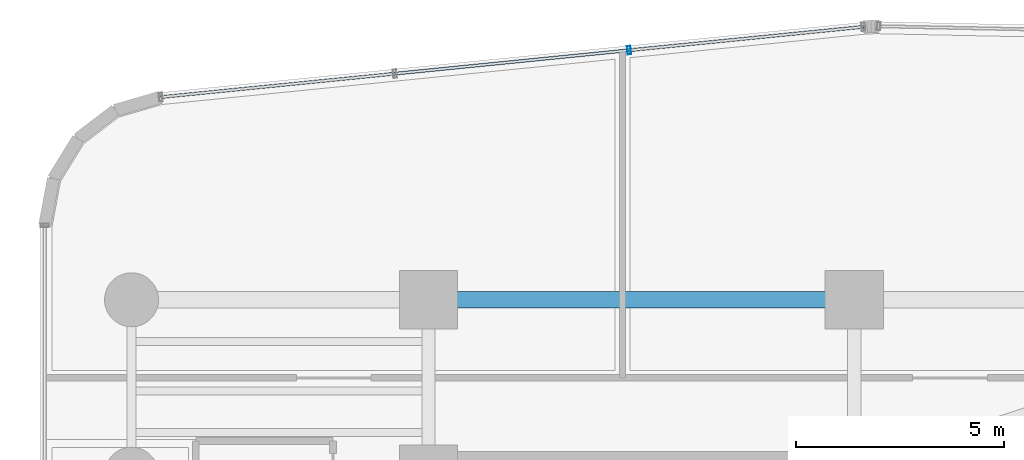
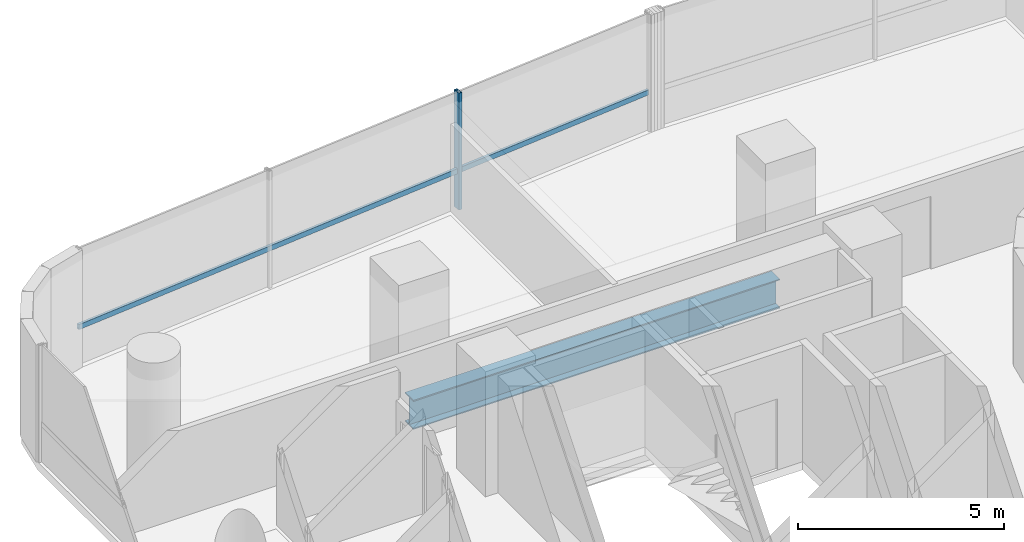
# One storey, part 19 of 40: 2 members, 1 beam, 1 element without a shape of its own.
"""IFC4 building model written with IfcOpenShell, lengths in metres."""

import ifcopenshell
import ifcopenshell.guid

model = None  # the IFC model being written
_history = None  # IfcOwnerHistory: only IFC2X3 demands one
_inside = {}  # id of a spatial element -> (the spatial element, [elements in it])
_under = {}  # id of a project, library or spatial element -> (it, [spatial elements below it])
_declared = {}  # id of a project -> (the project, [libraries it declares])
_typed = {}  # id of a type object -> (the type object, [elements of that type])
_made_of = {}  # id of a material, layer set ... -> (it, [elements and type objects made of it])


def new_model(schema):
    """Start an empty IFC model of exactly this schema.

    Asked for "IFC4X3", IfcOpenShell would pick the latest addendum, in which some entities
    have other attributes; the version numbers below select the first issue.
    IFC2X3 requires an IfcOwnerHistory on every rooted entity: one is made here for all.
    """
    global model, _history
    if schema == "IFC4X3":
        model = ifcopenshell.file(schema_version=(4, 3, 0, 0))
    else:
        model = ifcopenshell.file(schema=schema)
    _inside.clear()
    _under.clear()
    _declared.clear()
    _typed.clear()
    _made_of.clear()
    _history = None
    if model.schema == "IFC2X3":
        org = make("IfcOrganization", Name="unknown")
        user = make(
            "IfcPersonAndOrganization",
            ThePerson=make("IfcPerson", FamilyName="unknown"),
            TheOrganization=org,
        )
        app = make(
            "IfcApplication",
            ApplicationDeveloper=org,
            Version="unknown",
            ApplicationFullName="unknown",
            ApplicationIdentifier="unknown",
        )
        _history = make(
            "IfcOwnerHistory",
            OwningUser=user,
            OwningApplication=app,
            ChangeAction="ADDED",
            CreationDate=0,
        )
    return model


def make(cls, **values):
    """One entity of the class cls with the attributes given. An attribute that is None is left unset."""
    return model.create_entity(
        cls, **{name: value for name, value in values.items() if value is not None}
    )


def rooted(cls, **values):
    """An entity with a GlobalId (a new one), such as an element, a storey or a relation."""
    return make(cls, GlobalId=ifcopenshell.guid.new(), OwnerHistory=_history, **values)


def si_unit(unit_type, name, prefix=None):
    """IfcSIUnit, for example si_unit("LENGTHUNIT", "METRE", prefix="MILLI")."""
    return make("IfcSIUnit", UnitType=unit_type, Prefix=prefix, Name=name)


def assignment(units):
    """IfcUnitAssignment: the units of a project."""
    return None if units is None else make("IfcUnitAssignment", Units=units)


def point(xyz):
    """IfcCartesianPoint."""
    return None if xyz is None else make("IfcCartesianPoint", Coordinates=xyz)


def direction(xyz):
    """IfcDirection."""
    return None if xyz is None else make("IfcDirection", DirectionRatios=xyz)


def frame(location, z_axis=None, x_axis=None):
    """IfcAxis2Placement3D, a coordinate frame: its origin and axes. An axis left out is left unset."""
    return make(
        "IfcAxis2Placement3D",
        Location=point(location),
        Axis=direction(z_axis),
        RefDirection=direction(x_axis),
    )


def frame_2d(location, x_axis=None):
    """IfcAxis2Placement2D, a coordinate frame in the plane: its origin and x axis."""
    return make(
        "IfcAxis2Placement2D", Location=point(location), RefDirection=direction(x_axis)
    )


def origin():
    """The frame at (0, 0, 0) with its axes left unset."""
    return frame((0.0, 0.0, 0.0))


def origin_2d():
    """The frame at (0, 0) in the plane with its x axis left unset."""
    return frame_2d((0.0, 0.0))


def place(relative_to, where):
    """IfcLocalPlacement: puts the frame where relative to a parent placement (None: the world)."""
    return make(
        "IfcLocalPlacement", PlacementRelTo=relative_to, RelativePlacement=where
    )


def context(
    kind, dimensions, precision=None, world=None, true_north=None, identifier=None
):
    """IfcGeometricRepresentationContext, for example the 3D "Model" context."""
    return make(
        "IfcGeometricRepresentationContext",
        ContextIdentifier=identifier,
        ContextType=kind,
        CoordinateSpaceDimension=dimensions,
        Precision=precision,
        WorldCoordinateSystem=world,
        TrueNorth=true_north,
    )


def subcontext(parent, identifier, kind, view, scale=None):
    """IfcGeometricRepresentationSubContext, for example "Body" below "Model"."""
    return make(
        "IfcGeometricRepresentationSubContext",
        ContextIdentifier=identifier,
        ContextType=kind,
        ParentContext=parent,
        TargetScale=scale,
        TargetView=view,
    )


def project(units=None, contexts=None):
    """IfcProject with its units and contexts."""
    return rooted(
        "IfcProject",
        Name="project",
        RepresentationContexts=contexts,
        UnitsInContext=assignment(units),
    )


def spatial(cls, under=None, at=None, **own):
    """A site, building, storey or space (cls), placed at a placement, below another one or the project."""
    s = rooted(cls, ObjectPlacement=at, **own)
    if under is not None:
        _under.setdefault(under.id(), (under, []))[1].append(s)
    return s


def profile(cls, at=None, kind="AREA", **sizes):
    """A parametric profile (cls). Its sizes go by their IFC names, for example OverallWidth=200.0."""
    return make(cls, ProfileType=kind, Position=at, **sizes)


def hollow_rectangle(**sizes):
    """IfcRectangleHollowProfileDef."""
    return profile("IfcRectangleHollowProfileDef", **sizes)


def i_section(**sizes):
    """IfcIShapeProfileDef."""
    return profile("IfcIShapeProfileDef", **sizes)


def extrude(swept, where, along, depth):
    """IfcExtrudedAreaSolid: the profile swept, set in the frame where, extruded along a direction by depth."""
    return make(
        "IfcExtrudedAreaSolid",
        SweptArea=swept,
        Position=where,
        ExtrudedDirection=direction(along),
        Depth=depth,
    )


def shape(context_of_items, identifier, shape_type, items):
    """IfcShapeRepresentation: the items that make up one representation, for example the "Body"."""
    return make(
        "IfcShapeRepresentation",
        ContextOfItems=context_of_items,
        RepresentationIdentifier=identifier,
        RepresentationType=shape_type,
        Items=items,
    )


def source(mapping_origin, context_of_items, identifier, shape_type, items):
    """IfcRepresentationMap: a shape defined once, which mapped items show again and again."""
    return make(
        "IfcRepresentationMap",
        MappingOrigin=mapping_origin,
        MappedRepresentation=shape(context_of_items, identifier, shape_type, items),
    )


def transform(
    local_origin,
    x_axis=None,
    y_axis=None,
    z_axis=None,
    scale=None,
    scale2=None,
    scale3=None,
    uniform=True,
):
    """IfcCartesianTransformationOperator3D, or its non-uniform kind. x_axis, y_axis, z_axis: its Axis1, 2, 3."""
    if uniform:
        return make(
            "IfcCartesianTransformationOperator3D",
            Axis1=direction(x_axis),
            Axis2=direction(y_axis),
            LocalOrigin=point(local_origin),
            Scale=scale,
            Axis3=direction(z_axis),
        )
    return make(
        "IfcCartesianTransformationOperator3DnonUniform",
        Axis1=direction(x_axis),
        Axis2=direction(y_axis),
        LocalOrigin=point(local_origin),
        Scale=scale,
        Axis3=direction(z_axis),
        Scale2=scale2,
        Scale3=scale3,
    )


def mapped(mapping_source, mapping_target):
    """IfcMappedItem: shows the shape of a source again, moved by a transform."""
    return make(
        "IfcMappedItem", MappingSource=mapping_source, MappingTarget=mapping_target
    )


def material(Name=None, Category=None):
    """IfcMaterial."""
    return make("IfcMaterial", Name=Name, Category=Category)


def material_profile(
    of_material, cross_section, Name=None, Category=None, Priority=None
):
    """IfcMaterialProfile: a cross section and its material."""
    return make(
        "IfcMaterialProfile",
        Name=Name,
        Material=of_material,
        Profile=cross_section,
        Priority=Priority,
        Category=Category,
    )


def profile_set(profiles, Name=None, composite=None):
    """IfcMaterialProfileSet."""
    return make(
        "IfcMaterialProfileSet",
        Name=Name,
        MaterialProfiles=profiles,
        CompositeProfile=composite,
    )


def made_of(thing, what):
    """Note that an element or type object is made of a material, layer set ...; save() writes the relation."""
    if what is not None:
        _made_of.setdefault(what.id(), (what, []))[1].append(thing)
    return thing


def type_object(cls, material=None, **own):
    """A type object (cls), such as IfcWallType, which elements share."""
    return made_of(rooted(cls, **own), material)


def element(
    cls,
    number,
    at=None,
    inside=None,
    cuts=None,
    type_object=None,
    material=None,
    context=None,
    identifier="Body",
    shape_type=None,
    held_by="IfcProductDefinitionShape",
    body=None,
    shapes=None,
    **own,
):
    """One element of the class cls, such as IfcWall. Its Tag is "e" and its number.

    at: its placement. inside: the storey or other place that contains it. cuts: it is an
    opening in that element (IfcRelVoidsElement). A single representation is given by context,
    identifier, shape_type and body (its items); several are given by shapes. held_by: the class
    of the entity that holds the representations. save() writes the other relations.
    """
    e = rooted(cls, Tag="e%d" % number, ObjectPlacement=at, **own)
    if body is not None:
        shapes = [shape(context, identifier, shape_type, body)]
    if shapes is not None:
        e.Representation = make(held_by, Representations=shapes)
    if inside is not None:
        _inside.setdefault(inside.id(), (inside, []))[1].append(e)
    if cuts is not None:
        rooted(
            "IfcRelVoidsElement", RelatingBuildingElement=cuts, RelatedOpeningElement=e
        )
    if type_object is not None:
        _typed.setdefault(type_object.id(), (type_object, []))[1].append(e)
    return made_of(e, material)


def aggregate(whole, parts):
    """IfcRelAggregates: a whole, such as a stair, and the parts it consists of."""
    return rooted("IfcRelAggregates", RelatingObject=whole, RelatedObjects=parts)


def save(model, path):
    """Write the relations noted so far, then the file.

    IfcRelAggregates (storeys below a building ...), IfcRelContainedInSpatialStructure (elements
    in a storey), IfcRelDefinesByType, IfcRelAssociatesMaterial and IfcRelDeclares: one each for
    every whole, place, type object, material and project.
    """
    for whole, parts in _under.values():
        aggregate(whole, parts)
    for where, things in _inside.values():
        rooted(
            "IfcRelContainedInSpatialStructure",
            RelatedElements=things,
            RelatingStructure=where,
        )
    for kind, things in _typed.values():
        rooted("IfcRelDefinesByType", RelatedObjects=things, RelatingType=kind)
    for what, things in _made_of.values():
        rooted("IfcRelAssociatesMaterial", RelatedObjects=things, RelatingMaterial=what)
    for by, libraries in _declared.values():
        rooted("IfcRelDeclares", RelatingContext=by, RelatedDefinitions=libraries)
    model.write(path)


model = new_model("IFC4")

# Units and contexts
model_context = context("Model", 3, precision=1e-05, world=origin(), true_north=direction((0.0, 1.0)))
body_context = subcontext(model_context, "Body", "Model", "MODEL_VIEW")
ifc_project = project(units=[si_unit("LENGTHUNIT", "METRE"), si_unit("AREAUNIT", "SQUARE_METRE"), si_unit("VOLUMEUNIT", "CUBIC_METRE"), si_unit("PLANEANGLEUNIT", "RADIAN"), si_unit("MASSUNIT", "GRAM", prefix="KILO")], contexts=[model_context])

# Site, building, storey
site_placement = place(None, origin())
site = spatial("IfcSite", under=ifc_project, at=site_placement, CompositionType="ELEMENT")
building_placement = place(site_placement, origin())
building = spatial("IfcBuilding", under=site, at=building_placement, Name="Valdorenza Pilgrim Sanctuary Tower", CompositionType="ELEMENT")
storey_placement = place(building_placement, frame((0.0, 0.0, 66.699951171875)))
storey = spatial("IfcBuildingStorey", under=building, at=storey_placement, Name="L16", CompositionType="ELEMENT", Elevation=66.699951171875)

# Beam
ifc_material_1 = material(Name="Steel ASTM A992 Grade 50", Category="steel")
ifc_material_profile_1 = material_profile(ifc_material_1, i_section(OverallWidth=0.39990234375, OverallDepth=0.862060546875, WebThickness=0.019775390625, FlangeThickness=0.032470703125, at=origin_2d()), Name="W33X221")
ifc_profile_set_1 = profile_set([ifc_material_profile_1], Name="Steel ASTM A992 Grade 50")
beam_type = type_object("IfcBeamType", Name="STR-BM-GRD-W33", PredefinedType="BEAM", material=ifc_profile_set_1)
shared_shape_1 = source(origin(), body_context, "Body", "SweptSolid", [
    extrude(i_section(OverallWidth=0.39990234375, OverallDepth=0.862060546875, WebThickness=0.019775390625, FlangeThickness=0.032470703125, at=origin_2d()), origin(), (0.0, 0.0, 1.0), 10.25),
])
beam_placement = place(storey_placement, frame((-22.64990234375, 14.800048828125, -0.6708984375), z_axis=(1.0, 0.0, 0.0), x_axis=(0.0, 1.0, 0.0)))
element("IfcBeam", 1, at=beam_placement, inside=storey, type_object=beam_type, Name="L16 Floor Girder CA-XC-N2", PredefinedType="BEAM", context=body_context, shape_type="MappedRepresentation", body=[
    mapped(shared_shape_1, transform((0.0, 0.0, 0.0), x_axis=(1.0, 0.0, 0.0), y_axis=(0.0, 1.0, 0.0), z_axis=(0.0, 0.0, 1.0), scale=1.0)),
])

# Curtain wall, members
ifc_material_2 = material(Name="Curtain-wall IGU glazing", Category="glass")
curtain_wall_type = type_object("IfcCurtainWallType", Name="CW-SYS-02", PredefinedType="NOTDEFINED", material=ifc_material_2)
curtain_wall_placement = place(storey_placement, origin())
curtain_wall = element("IfcCurtainWall", 2, at=curtain_wall_placement, inside=storey, type_object=curtain_wall_type, Name="L16 Curtain Wall CW-L16-1-6", PredefinedType="NOTDEFINED")
ifc_material_3 = material(Name="Anodised aluminium AW-6060", Category="aluminium")
ifc_material_profile_2 = material_profile(ifc_material_3, hollow_rectangle(XDim=0.0849609375, YDim=0.199951171875, WallThickness=0.0048828125, at=origin_2d()), Name="ALU-M 200x85x5")
ifc_profile_set_2 = profile_set([ifc_material_profile_2], Name="Anodised aluminium AW-6060")
member_type_1 = type_object("IfcMemberType", Name="CW-MUL-02", PredefinedType="MULLION", material=ifc_profile_set_2)
shared_shape_2 = source(origin(), body_context, "Body", "SweptSolid", [
    extrude(hollow_rectangle(XDim=0.0849609375, YDim=0.199951171875, WallThickness=0.0048828125, at=origin_2d()), origin(), (0.0, 0.0, 1.0), 3.4599609375),
])
member_1_placement = place(storey_placement, frame((-17.820556640625, 20.8076171875, 0.0), z_axis=(0.0, 0.0, 1.0), x_axis=(0.995038220239, 0.099493418189, 0.0)))
member_1 = element("IfcMember", 3, at=member_1_placement, type_object=member_type_1, Name="CW-L16-1-6 Mullion 3", PredefinedType="MULLION", context=body_context, shape_type="MappedRepresentation", body=[
    mapped(shared_shape_2, transform((0.0, 0.0, 0.0), x_axis=(1.0, 0.0, 0.0), y_axis=(0.0, 1.0, 0.0), z_axis=(0.0, 0.0, 1.0), scale=1.0)),
])
ifc_material_profile_3 = material_profile(ifc_material_3, hollow_rectangle(XDim=0.074951171875, YDim=0.14990234375, WallThickness=0.00390625, at=origin_2d()), Name="ALU-T 150x75x4")
ifc_profile_set_3 = profile_set([ifc_material_profile_3], Name="Anodised aluminium AW-6060")
member_type_2 = type_object("IfcMemberType", Name="CW-TRN-02", PredefinedType="USERDEFINED", material=ifc_profile_set_3)
shared_shape_3 = source(origin(), body_context, "Body", "SweptSolid", [
    extrude(hollow_rectangle(XDim=0.074951171875, YDim=0.14990234375, WallThickness=0.00390625, at=origin_2d()), origin(), (0.0, 0.0, 1.0), 17.0),
])
member_2_placement = place(storey_placement, frame((-29.097412109375, 19.6796875, 1.1201171875), z_axis=(0.99503662143, 0.099509406661, 0.0), x_axis=(-0.099509406661, 0.99503662143, 0.0)))
member_2 = element("IfcMember", 4, at=member_2_placement, type_object=member_type_2, Name="CW-L16-1-6 Transom 1", ObjectType="TRANSOM", PredefinedType="USERDEFINED", context=body_context, shape_type="MappedRepresentation", body=[
    mapped(shared_shape_3, transform((0.0, 0.0, 0.0), x_axis=(1.0, 0.0, 0.0), y_axis=(0.0, 1.0, 0.0), z_axis=(0.0, 0.0, 1.0), scale=1.0)),
])
aggregate(curtain_wall, [member_1, member_2])

save(model, "model.ifc")
